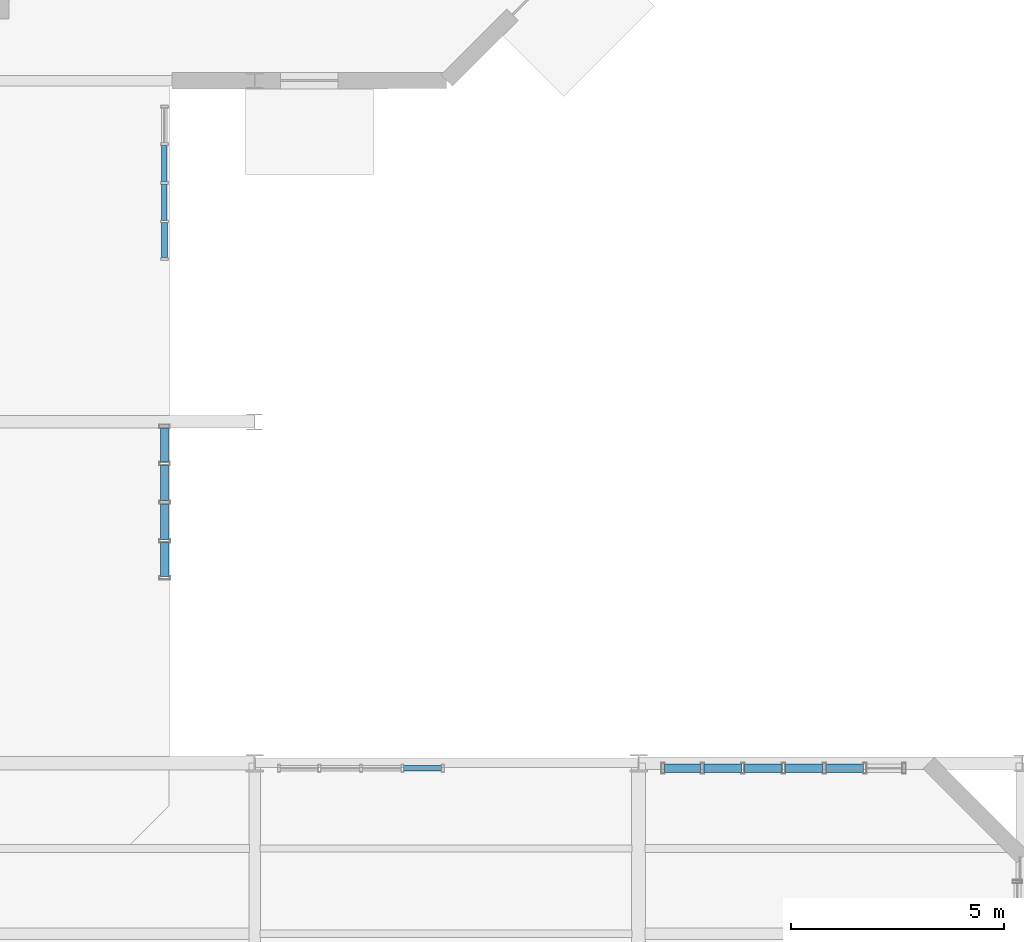
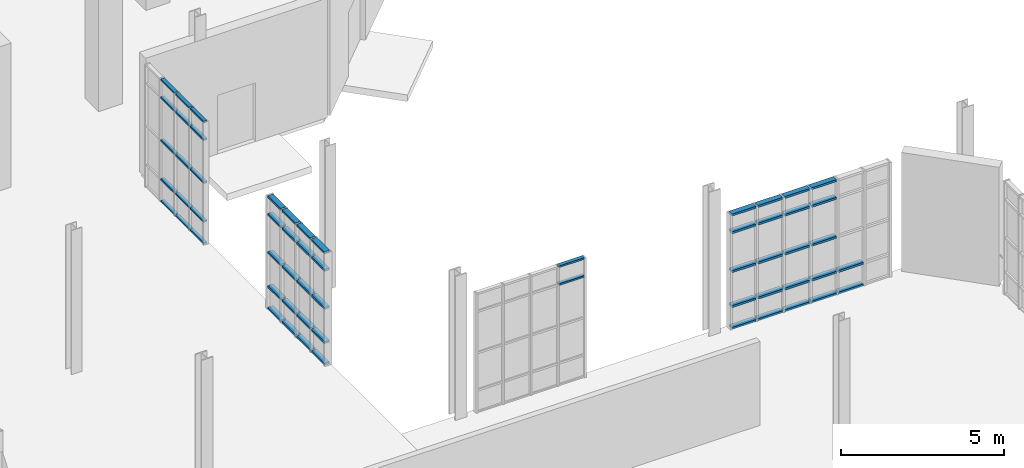
# One storey, part 117 of 189: 59 members, 4 elements without a shape of their own.
"""IFC4 building model written with IfcOpenShell, lengths in metres."""

from ifc_helpers import new_model, si_unit, direction, frame, origin, origin_2d, place, context, subcontext, project, spatial, hollow_rectangle, extrude, material, layer, layer_set, material_profile, profile_set, type_object, element, aggregate, save


model = new_model("IFC4")

# Units and contexts
model_context = context("Model", 3, precision=1e-05, world=origin(), true_north=direction((0.0, 1.0)))
body_context = subcontext(model_context, "Body", "Model", "MODEL_VIEW")
ifc_project = project(units=[si_unit("LENGTHUNIT", "METRE"), si_unit("AREAUNIT", "SQUARE_METRE"), si_unit("VOLUMEUNIT", "CUBIC_METRE"), si_unit("PLANEANGLEUNIT", "RADIAN"), si_unit("MASSUNIT", "GRAM", prefix="KILO"), si_unit("THERMODYNAMICTEMPERATUREUNIT", "KELVIN"), si_unit("POWERUNIT", "WATT")], contexts=[model_context])

# Site, building, storey
site_placement = place(None, origin())
site = spatial("IfcSite", under=ifc_project, at=site_placement, CompositionType="ELEMENT")
building_placement = place(site_placement, origin())
building = spatial("IfcBuilding", under=site, at=building_placement, Name="Zelmaris Science Centre", CompositionType="ELEMENT")
storey_placement = place(building_placement, origin())
storey = spatial("IfcBuildingStorey", under=building, at=storey_placement, Name="L00", CompositionType="ELEMENT", Elevation=0.0)

# Curtain wall, members
ifc_material = material(Name="Anodised architectural aluminium 6063-T6", Category="aluminium")
ifc_layer_1 = layer(ifc_material, 0.2099609375, Name="Anodised architectural aluminium 6063-T6")
ifc_layer_set_1 = layer_set([ifc_layer_1], Name="Anodised architectural aluminium 6063-T6")
curtain_wall_type_1 = type_object("IfcCurtainWallType", Name="Curtain Wall CW-03", PredefinedType="USERDEFINED", material=ifc_layer_set_1)
curtain_wall_1_placement = place(storey_placement, origin())
curtain_wall_1 = element("IfcCurtainWall", 1, at=curtain_wall_1_placement, inside=storey, type_object=curtain_wall_type_1, Name="L00 Unitised curtain wall 39", ObjectType="GLAZED CURTAIN WALL", PredefinedType="USERDEFINED")
ifc_material_profile_1 = material_profile(ifc_material, hollow_rectangle(XDim=0.06494140625, YDim=0.1298828125, WallThickness=0.00341796875, at=origin_2d()), Name="ALU-TRN-65X130")
ifc_profile_set_1 = profile_set([ifc_material_profile_1], Name="Anodised architectural aluminium 6063-T6")
member_type_1 = type_object("IfcMemberType", Name="ALU-TRN-65X130", PredefinedType="USERDEFINED", material=ifc_profile_set_1)
member_1_placement = place(storey_placement, frame((33.883544921875, 54.48291015625, 0.013427734375), z_axis=(0.000862564371, -0.999999627991, 0.0), x_axis=(0.0, 0.0, 1.0)))
member_1 = element("IfcMember", 2, at=member_1_placement, type_object=member_type_1, Name="CW-03 transom 2.1", ObjectType="TRANSOM", PredefinedType="USERDEFINED", context=body_context, shape_type="SweptSolid", body=[
    extrude(hollow_rectangle(XDim=0.06494140625, YDim=0.1298828125, WallThickness=0.00341796875, at=origin_2d()), origin(), (0.0, 0.0, 1.0), 0.84912109375),
])
member_2_placement = place(storey_placement, frame((33.883544921875, 54.48291015625, 0.8349609375), z_axis=(0.000862564371, -0.999999627991, 0.0), x_axis=(0.0, 0.0, 1.0)))
member_2 = element("IfcMember", 3, at=member_2_placement, type_object=member_type_1, Name="CW-03 transom 2.2", ObjectType="TRANSOM", PredefinedType="USERDEFINED", context=body_context, shape_type="SweptSolid", body=[
    extrude(hollow_rectangle(XDim=0.06494140625, YDim=0.1298828125, WallThickness=0.00341796875, at=origin_2d()), origin(), (0.0, 0.0, 1.0), 0.84912109375),
])
member_3_placement = place(storey_placement, frame((33.883544921875, 54.48291015625, 2.29248046875), z_axis=(0.000862564371, -0.999999627991, 0.0), x_axis=(0.0, 0.0, 1.0)))
member_3 = element("IfcMember", 4, at=member_3_placement, type_object=member_type_1, Name="CW-03 transom 2.3", ObjectType="TRANSOM", PredefinedType="USERDEFINED", context=body_context, shape_type="SweptSolid", body=[
    extrude(hollow_rectangle(XDim=0.06494140625, YDim=0.1298828125, WallThickness=0.00341796875, at=origin_2d()), origin(), (0.0, 0.0, 1.0), 0.84912109375),
])
member_4_placement = place(storey_placement, frame((33.883544921875, 54.48291015625, 3.89990234375), z_axis=(0.000862564371, -0.999999627991, 0.0), x_axis=(0.0, 0.0, 1.0)))
member_4 = element("IfcMember", 5, at=member_4_placement, type_object=member_type_1, Name="CW-03 transom 2.4", ObjectType="TRANSOM", PredefinedType="USERDEFINED", context=body_context, shape_type="SweptSolid", body=[
    extrude(hollow_rectangle(XDim=0.06494140625, YDim=0.1298828125, WallThickness=0.00341796875, at=origin_2d()), origin(), (0.0, 0.0, 1.0), 0.84912109375),
])
member_5_placement = place(storey_placement, frame((33.883544921875, 54.48291015625, 4.571533203125), z_axis=(0.000862564371, -0.999999627991, 0.0), x_axis=(0.0, 0.0, 1.0)))
member_5 = element("IfcMember", 6, at=member_5_placement, type_object=member_type_1, Name="CW-03 transom 2.5", ObjectType="TRANSOM", PredefinedType="USERDEFINED", context=body_context, shape_type="SweptSolid", body=[
    extrude(hollow_rectangle(XDim=0.06494140625, YDim=0.1298828125, WallThickness=0.00341796875, at=origin_2d()), origin(), (0.0, 0.0, 1.0), 0.84912109375),
])
member_6_placement = place(storey_placement, frame((33.88427734375, 53.576904296875, 0.013427734375), z_axis=(0.000575043033, -0.999999834663, 0.0), x_axis=(0.0, 0.0, 1.0)))
member_6 = element("IfcMember", 7, at=member_6_placement, type_object=member_type_1, Name="CW-03 transom 3.1", ObjectType="TRANSOM", PredefinedType="USERDEFINED", context=body_context, shape_type="SweptSolid", body=[
    extrude(hollow_rectangle(XDim=0.06494140625, YDim=0.1298828125, WallThickness=0.00341796875, at=origin_2d()), origin(), (0.0, 0.0, 1.0), 0.84912109375),
])
member_7_placement = place(storey_placement, frame((33.88427734375, 53.576904296875, 0.8349609375), z_axis=(0.000575043033, -0.999999834663, 0.0), x_axis=(0.0, 0.0, 1.0)))
member_7 = element("IfcMember", 8, at=member_7_placement, type_object=member_type_1, Name="CW-03 transom 3.2", ObjectType="TRANSOM", PredefinedType="USERDEFINED", context=body_context, shape_type="SweptSolid", body=[
    extrude(hollow_rectangle(XDim=0.06494140625, YDim=0.1298828125, WallThickness=0.00341796875, at=origin_2d()), origin(), (0.0, 0.0, 1.0), 0.84912109375),
])
member_8_placement = place(storey_placement, frame((33.88427734375, 53.576904296875, 2.29248046875), z_axis=(0.000575043033, -0.999999834663, 0.0), x_axis=(0.0, 0.0, 1.0)))
member_8 = element("IfcMember", 9, at=member_8_placement, type_object=member_type_1, Name="CW-03 transom 3.3", ObjectType="TRANSOM", PredefinedType="USERDEFINED", context=body_context, shape_type="SweptSolid", body=[
    extrude(hollow_rectangle(XDim=0.06494140625, YDim=0.1298828125, WallThickness=0.00341796875, at=origin_2d()), origin(), (0.0, 0.0, 1.0), 0.84912109375),
])
member_9_placement = place(storey_placement, frame((33.88427734375, 53.576904296875, 3.89990234375), z_axis=(0.000575043033, -0.999999834663, 0.0), x_axis=(0.0, 0.0, 1.0)))
member_9 = element("IfcMember", 10, at=member_9_placement, type_object=member_type_1, Name="CW-03 transom 3.4", ObjectType="TRANSOM", PredefinedType="USERDEFINED", context=body_context, shape_type="SweptSolid", body=[
    extrude(hollow_rectangle(XDim=0.06494140625, YDim=0.1298828125, WallThickness=0.00341796875, at=origin_2d()), origin(), (0.0, 0.0, 1.0), 0.84912109375),
])
member_10_placement = place(storey_placement, frame((33.88427734375, 53.576904296875, 4.571533203125), z_axis=(0.000575043033, -0.999999834663, 0.0), x_axis=(0.0, 0.0, 1.0)))
member_10 = element("IfcMember", 11, at=member_10_placement, type_object=member_type_1, Name="CW-03 transom 3.5", ObjectType="TRANSOM", PredefinedType="USERDEFINED", context=body_context, shape_type="SweptSolid", body=[
    extrude(hollow_rectangle(XDim=0.06494140625, YDim=0.1298828125, WallThickness=0.00341796875, at=origin_2d()), origin(), (0.0, 0.0, 1.0), 0.84912109375),
])
member_11_placement = place(storey_placement, frame((33.885009765625, 52.6708984375, 0.013427734375), z_axis=(0.000595060888, -0.999999822951, 0.0), x_axis=(0.0, 0.0, 1.0)))
member_11 = element("IfcMember", 12, at=member_11_placement, type_object=member_type_1, Name="CW-03 transom 4.1", ObjectType="TRANSOM", PredefinedType="USERDEFINED", context=body_context, shape_type="SweptSolid", body=[
    extrude(hollow_rectangle(XDim=0.06494140625, YDim=0.1298828125, WallThickness=0.00341796875, at=origin_2d()), origin(), (0.0, 0.0, 1.0), 0.820556640625),
])
member_12_placement = place(storey_placement, frame((33.885009765625, 52.6708984375, 0.8349609375), z_axis=(0.000595060888, -0.999999822951, 0.0), x_axis=(0.0, 0.0, 1.0)))
member_12 = element("IfcMember", 13, at=member_12_placement, type_object=member_type_1, Name="CW-03 transom 4.2", ObjectType="TRANSOM", PredefinedType="USERDEFINED", context=body_context, shape_type="SweptSolid", body=[
    extrude(hollow_rectangle(XDim=0.06494140625, YDim=0.1298828125, WallThickness=0.00341796875, at=origin_2d()), origin(), (0.0, 0.0, 1.0), 0.820556640625),
])
member_13_placement = place(storey_placement, frame((33.885009765625, 52.6708984375, 2.29248046875), z_axis=(0.000595060888, -0.999999822951, 0.0), x_axis=(0.0, 0.0, 1.0)))
member_13 = element("IfcMember", 14, at=member_13_placement, type_object=member_type_1, Name="CW-03 transom 4.3", ObjectType="TRANSOM", PredefinedType="USERDEFINED", context=body_context, shape_type="SweptSolid", body=[
    extrude(hollow_rectangle(XDim=0.06494140625, YDim=0.1298828125, WallThickness=0.00341796875, at=origin_2d()), origin(), (0.0, 0.0, 1.0), 0.820556640625),
])
member_14_placement = place(storey_placement, frame((33.885009765625, 52.6708984375, 3.89990234375), z_axis=(0.000595060888, -0.999999822951, 0.0), x_axis=(0.0, 0.0, 1.0)))
member_14 = element("IfcMember", 15, at=member_14_placement, type_object=member_type_1, Name="CW-03 transom 4.4", ObjectType="TRANSOM", PredefinedType="USERDEFINED", context=body_context, shape_type="SweptSolid", body=[
    extrude(hollow_rectangle(XDim=0.06494140625, YDim=0.1298828125, WallThickness=0.00341796875, at=origin_2d()), origin(), (0.0, 0.0, 1.0), 0.820556640625),
])
member_15_placement = place(storey_placement, frame((33.885009765625, 52.6708984375, 4.571533203125), z_axis=(0.000595060888, -0.999999822951, 0.0), x_axis=(0.0, 0.0, 1.0)))
member_15 = element("IfcMember", 16, at=member_15_placement, type_object=member_type_1, Name="CW-03 transom 4.5", ObjectType="TRANSOM", PredefinedType="USERDEFINED", context=body_context, shape_type="SweptSolid", body=[
    extrude(hollow_rectangle(XDim=0.06494140625, YDim=0.1298828125, WallThickness=0.00341796875, at=origin_2d()), origin(), (0.0, 0.0, 1.0), 0.820556640625),
])
aggregate(curtain_wall_1, [member_1, member_2, member_3, member_4, member_5, member_6, member_7, member_8, member_9, member_10, member_11, member_12, member_13, member_14, member_15])

curtain_wall_2_placement = place(storey_placement, origin())
curtain_wall_2 = element("IfcCurtainWall", 17, at=curtain_wall_2_placement, inside=storey, type_object=curtain_wall_type_1, Name="L00 Unitised curtain wall 43", ObjectType="GLAZED CURTAIN WALL", PredefinedType="USERDEFINED")
member_16_placement = place(storey_placement, frame((39.493408203125, 39.8798828125, 3.785888671875), z_axis=(1.0, 0.0, 0.0), x_axis=(0.0, 0.0, 1.0)))
member_16 = element("IfcMember", 18, at=member_16_placement, type_object=member_type_1, Name="CW-03 transom 4.4", ObjectType="TRANSOM", PredefinedType="USERDEFINED", context=body_context, shape_type="SweptSolid", body=[
    extrude(hollow_rectangle(XDim=0.06494140625, YDim=0.1298828125, WallThickness=0.00341796875, at=origin_2d()), origin(), (0.0, 0.0, 1.0), 0.8896484375),
])
member_17_placement = place(storey_placement, frame((39.493408203125, 39.8798828125, 4.45751953125), z_axis=(1.0, 0.0, 0.0), x_axis=(0.0, 0.0, 1.0)))
member_17 = element("IfcMember", 19, at=member_17_placement, type_object=member_type_1, Name="CW-03 transom 4.5", ObjectType="TRANSOM", PredefinedType="USERDEFINED", context=body_context, shape_type="SweptSolid", body=[
    extrude(hollow_rectangle(XDim=0.06494140625, YDim=0.1298828125, WallThickness=0.00341796875, at=origin_2d()), origin(), (0.0, 0.0, 1.0), 0.8896484375),
])
aggregate(curtain_wall_2, [member_16, member_17])

ifc_layer_2 = layer(ifc_material, 0.18994140625, Name="Anodised architectural aluminium 6063-T6")
ifc_layer_set_2 = layer_set([ifc_layer_2], Name="Anodised architectural aluminium 6063-T6")
curtain_wall_type_2 = type_object("IfcCurtainWallType", Name="Curtain Wall CW-01", PredefinedType="USERDEFINED", material=ifc_layer_set_2)
curtain_wall_3_placement = place(storey_placement, origin())
curtain_wall_3 = element("IfcCurtainWall", 20, at=curtain_wall_3_placement, inside=storey, type_object=curtain_wall_type_2, Name="L00 Unitised curtain wall 41", ObjectType="GLAZED CURTAIN WALL", PredefinedType="USERDEFINED")
ifc_material_profile_2 = material_profile(ifc_material, hollow_rectangle(XDim=0.080078125, YDim=0.18994140625, WallThickness=0.00439453125, at=origin_2d()), Name="ALU-TRN-80X190")
ifc_profile_set_2 = profile_set([ifc_material_profile_2], Name="Anodised architectural aluminium 6063-T6")
member_type_2 = type_object("IfcMemberType", Name="ALU-TRN-80X190", PredefinedType="USERDEFINED", material=ifc_profile_set_2)
member_18_placement = place(storey_placement, frame((33.88818359375, 47.857666015625, 0.02099609375), z_axis=(0.000611807778, -0.999999812846, 0.0), x_axis=(0.0, 0.0, 1.0)))
member_18 = element("IfcMember", 21, at=member_18_placement, type_object=member_type_2, Name="CW-01 transom 1.1", ObjectType="TRANSOM", PredefinedType="USERDEFINED", context=body_context, shape_type="SweptSolid", body=[
    extrude(hollow_rectangle(XDim=0.080078125, YDim=0.18994140625, WallThickness=0.00439453125, at=origin_2d()), origin(), (0.0, 0.0, 1.0), 0.798095703125),
])
member_19_placement = place(storey_placement, frame((33.88818359375, 47.857666015625, 0.8349609375), z_axis=(0.000611807778, -0.999999812846, 0.0), x_axis=(0.0, 0.0, 1.0)))
member_19 = element("IfcMember", 22, at=member_19_placement, type_object=member_type_2, Name="CW-01 transom 1.2", ObjectType="TRANSOM", PredefinedType="USERDEFINED", context=body_context, shape_type="SweptSolid", body=[
    extrude(hollow_rectangle(XDim=0.080078125, YDim=0.18994140625, WallThickness=0.00439453125, at=origin_2d()), origin(), (0.0, 0.0, 1.0), 0.798095703125),
])
member_20_placement = place(storey_placement, frame((33.88818359375, 47.857666015625, 2.114501953125), z_axis=(0.000611807778, -0.999999812846, 0.0), x_axis=(0.0, 0.0, 1.0)))
member_20 = element("IfcMember", 23, at=member_20_placement, type_object=member_type_2, Name="CW-01 transom 1.3", ObjectType="TRANSOM", PredefinedType="USERDEFINED", context=body_context, shape_type="SweptSolid", body=[
    extrude(hollow_rectangle(XDim=0.080078125, YDim=0.18994140625, WallThickness=0.00439453125, at=origin_2d()), origin(), (0.0, 0.0, 1.0), 0.798095703125),
])
member_21_placement = place(storey_placement, frame((33.88818359375, 47.857666015625, 3.5439453125), z_axis=(0.000611807778, -0.999999812846, 0.0), x_axis=(0.0, 0.0, 1.0)))
member_21 = element("IfcMember", 24, at=member_21_placement, type_object=member_type_2, Name="CW-01 transom 1.4", ObjectType="TRANSOM", PredefinedType="USERDEFINED", context=body_context, shape_type="SweptSolid", body=[
    extrude(hollow_rectangle(XDim=0.080078125, YDim=0.18994140625, WallThickness=0.00439453125, at=origin_2d()), origin(), (0.0, 0.0, 1.0), 0.798095703125),
])
member_22_placement = place(storey_placement, frame((33.88818359375, 47.857666015625, 4.2080078125), z_axis=(0.000611807778, -0.999999812846, 0.0), x_axis=(0.0, 0.0, 1.0)))
member_22 = element("IfcMember", 25, at=member_22_placement, type_object=member_type_2, Name="CW-01 transom 1.5", ObjectType="TRANSOM", PredefinedType="USERDEFINED", context=body_context, shape_type="SweptSolid", body=[
    extrude(hollow_rectangle(XDim=0.080078125, YDim=0.18994140625, WallThickness=0.00439453125, at=origin_2d()), origin(), (0.0, 0.0, 1.0), 0.798095703125),
])
member_23_placement = place(storey_placement, frame((33.888671875, 46.987548828125, 0.02099609375), z_axis=(0.000878219802, -0.999999614365, 0.0), x_axis=(0.0, 0.0, 1.0)))
member_23 = element("IfcMember", 26, at=member_23_placement, type_object=member_type_2, Name="CW-01 transom 2.1", ObjectType="TRANSOM", PredefinedType="USERDEFINED", context=body_context, shape_type="SweptSolid", body=[
    extrude(hollow_rectangle(XDim=0.080078125, YDim=0.18994140625, WallThickness=0.00439453125, at=origin_2d()), origin(), (0.0, 0.0, 1.0), 0.833984375),
])
member_24_placement = place(storey_placement, frame((33.888671875, 46.987548828125, 0.8349609375), z_axis=(0.000878219802, -0.999999614365, 0.0), x_axis=(0.0, 0.0, 1.0)))
member_24 = element("IfcMember", 27, at=member_24_placement, type_object=member_type_2, Name="CW-01 transom 2.2", ObjectType="TRANSOM", PredefinedType="USERDEFINED", context=body_context, shape_type="SweptSolid", body=[
    extrude(hollow_rectangle(XDim=0.080078125, YDim=0.18994140625, WallThickness=0.00439453125, at=origin_2d()), origin(), (0.0, 0.0, 1.0), 0.833984375),
])
member_25_placement = place(storey_placement, frame((33.888671875, 46.987548828125, 2.114501953125), z_axis=(0.000878219802, -0.999999614365, 0.0), x_axis=(0.0, 0.0, 1.0)))
member_25 = element("IfcMember", 28, at=member_25_placement, type_object=member_type_2, Name="CW-01 transom 2.3", ObjectType="TRANSOM", PredefinedType="USERDEFINED", context=body_context, shape_type="SweptSolid", body=[
    extrude(hollow_rectangle(XDim=0.080078125, YDim=0.18994140625, WallThickness=0.00439453125, at=origin_2d()), origin(), (0.0, 0.0, 1.0), 0.833984375),
])
member_26_placement = place(storey_placement, frame((33.888671875, 46.987548828125, 3.5439453125), z_axis=(0.000878219802, -0.999999614365, 0.0), x_axis=(0.0, 0.0, 1.0)))
member_26 = element("IfcMember", 29, at=member_26_placement, type_object=member_type_2, Name="CW-01 transom 2.4", ObjectType="TRANSOM", PredefinedType="USERDEFINED", context=body_context, shape_type="SweptSolid", body=[
    extrude(hollow_rectangle(XDim=0.080078125, YDim=0.18994140625, WallThickness=0.00439453125, at=origin_2d()), origin(), (0.0, 0.0, 1.0), 0.833984375),
])
member_27_placement = place(storey_placement, frame((33.888671875, 46.987548828125, 4.2080078125), z_axis=(0.000878219802, -0.999999614365, 0.0), x_axis=(0.0, 0.0, 1.0)))
member_27 = element("IfcMember", 30, at=member_27_placement, type_object=member_type_2, Name="CW-01 transom 2.5", ObjectType="TRANSOM", PredefinedType="USERDEFINED", context=body_context, shape_type="SweptSolid", body=[
    extrude(hollow_rectangle(XDim=0.080078125, YDim=0.18994140625, WallThickness=0.00439453125, at=origin_2d()), origin(), (0.0, 0.0, 1.0), 0.833984375),
])
member_28_placement = place(storey_placement, frame((33.889404296875, 46.08154296875, 0.02099609375), z_axis=(0.000878219802, -0.999999614365, 0.0), x_axis=(0.0, 0.0, 1.0)))
member_28 = element("IfcMember", 31, at=member_28_placement, type_object=member_type_2, Name="CW-01 transom 3.1", ObjectType="TRANSOM", PredefinedType="USERDEFINED", context=body_context, shape_type="SweptSolid", body=[
    extrude(hollow_rectangle(XDim=0.080078125, YDim=0.18994140625, WallThickness=0.00439453125, at=origin_2d()), origin(), (0.0, 0.0, 1.0), 0.833984375),
])
member_29_placement = place(storey_placement, frame((33.889404296875, 46.08154296875, 0.8349609375), z_axis=(0.000878219802, -0.999999614365, 0.0), x_axis=(0.0, 0.0, 1.0)))
member_29 = element("IfcMember", 32, at=member_29_placement, type_object=member_type_2, Name="CW-01 transom 3.2", ObjectType="TRANSOM", PredefinedType="USERDEFINED", context=body_context, shape_type="SweptSolid", body=[
    extrude(hollow_rectangle(XDim=0.080078125, YDim=0.18994140625, WallThickness=0.00439453125, at=origin_2d()), origin(), (0.0, 0.0, 1.0), 0.833984375),
])
member_30_placement = place(storey_placement, frame((33.889404296875, 46.08154296875, 2.114501953125), z_axis=(0.000878219802, -0.999999614365, 0.0), x_axis=(0.0, 0.0, 1.0)))
member_30 = element("IfcMember", 33, at=member_30_placement, type_object=member_type_2, Name="CW-01 transom 3.3", ObjectType="TRANSOM", PredefinedType="USERDEFINED", context=body_context, shape_type="SweptSolid", body=[
    extrude(hollow_rectangle(XDim=0.080078125, YDim=0.18994140625, WallThickness=0.00439453125, at=origin_2d()), origin(), (0.0, 0.0, 1.0), 0.833984375),
])
member_31_placement = place(storey_placement, frame((33.889404296875, 46.08154296875, 3.5439453125), z_axis=(0.000878219802, -0.999999614365, 0.0), x_axis=(0.0, 0.0, 1.0)))
member_31 = element("IfcMember", 34, at=member_31_placement, type_object=member_type_2, Name="CW-01 transom 3.4", ObjectType="TRANSOM", PredefinedType="USERDEFINED", context=body_context, shape_type="SweptSolid", body=[
    extrude(hollow_rectangle(XDim=0.080078125, YDim=0.18994140625, WallThickness=0.00439453125, at=origin_2d()), origin(), (0.0, 0.0, 1.0), 0.833984375),
])
member_32_placement = place(storey_placement, frame((33.889404296875, 46.08154296875, 4.2080078125), z_axis=(0.000878219802, -0.999999614365, 0.0), x_axis=(0.0, 0.0, 1.0)))
member_32 = element("IfcMember", 35, at=member_32_placement, type_object=member_type_2, Name="CW-01 transom 3.5", ObjectType="TRANSOM", PredefinedType="USERDEFINED", context=body_context, shape_type="SweptSolid", body=[
    extrude(hollow_rectangle(XDim=0.080078125, YDim=0.18994140625, WallThickness=0.00439453125, at=origin_2d()), origin(), (0.0, 0.0, 1.0), 0.833984375),
])
member_33_placement = place(storey_placement, frame((33.89013671875, 45.17578125, 0.02099609375), z_axis=(0.000611807778, -0.999999812846, 0.0), x_axis=(0.0, 0.0, 1.0)))
member_33 = element("IfcMember", 36, at=member_33_placement, type_object=member_type_2, Name="CW-01 transom 4.1", ObjectType="TRANSOM", PredefinedType="USERDEFINED", context=body_context, shape_type="SweptSolid", body=[
    extrude(hollow_rectangle(XDim=0.080078125, YDim=0.18994140625, WallThickness=0.00439453125, at=origin_2d()), origin(), (0.0, 0.0, 1.0), 0.798095703125),
])
member_34_placement = place(storey_placement, frame((33.89013671875, 45.17578125, 0.8349609375), z_axis=(0.000611807778, -0.999999812846, 0.0), x_axis=(0.0, 0.0, 1.0)))
member_34 = element("IfcMember", 37, at=member_34_placement, type_object=member_type_2, Name="CW-01 transom 4.2", ObjectType="TRANSOM", PredefinedType="USERDEFINED", context=body_context, shape_type="SweptSolid", body=[
    extrude(hollow_rectangle(XDim=0.080078125, YDim=0.18994140625, WallThickness=0.00439453125, at=origin_2d()), origin(), (0.0, 0.0, 1.0), 0.798095703125),
])
member_35_placement = place(storey_placement, frame((33.89013671875, 45.17578125, 2.114501953125), z_axis=(0.000611807778, -0.999999812846, 0.0), x_axis=(0.0, 0.0, 1.0)))
member_35 = element("IfcMember", 38, at=member_35_placement, type_object=member_type_2, Name="CW-01 transom 4.3", ObjectType="TRANSOM", PredefinedType="USERDEFINED", context=body_context, shape_type="SweptSolid", body=[
    extrude(hollow_rectangle(XDim=0.080078125, YDim=0.18994140625, WallThickness=0.00439453125, at=origin_2d()), origin(), (0.0, 0.0, 1.0), 0.798095703125),
])
member_36_placement = place(storey_placement, frame((33.89013671875, 45.17578125, 3.5439453125), z_axis=(0.000611807778, -0.999999812846, 0.0), x_axis=(0.0, 0.0, 1.0)))
member_36 = element("IfcMember", 39, at=member_36_placement, type_object=member_type_2, Name="CW-01 transom 4.4", ObjectType="TRANSOM", PredefinedType="USERDEFINED", context=body_context, shape_type="SweptSolid", body=[
    extrude(hollow_rectangle(XDim=0.080078125, YDim=0.18994140625, WallThickness=0.00439453125, at=origin_2d()), origin(), (0.0, 0.0, 1.0), 0.798095703125),
])
member_37_placement = place(storey_placement, frame((33.89013671875, 45.17578125, 4.2080078125), z_axis=(0.000611807778, -0.999999812846, 0.0), x_axis=(0.0, 0.0, 1.0)))
member_37 = element("IfcMember", 40, at=member_37_placement, type_object=member_type_2, Name="CW-01 transom 4.5", ObjectType="TRANSOM", PredefinedType="USERDEFINED", context=body_context, shape_type="SweptSolid", body=[
    extrude(hollow_rectangle(XDim=0.080078125, YDim=0.18994140625, WallThickness=0.00439453125, at=origin_2d()), origin(), (0.0, 0.0, 1.0), 0.798095703125),
])
aggregate(curtain_wall_3, [member_18, member_19, member_20, member_21, member_22, member_23, member_24, member_25, member_26, member_27, member_28, member_29, member_30, member_31, member_32, member_33, member_34, member_35, member_36, member_37])

curtain_wall_4_placement = place(storey_placement, origin())
curtain_wall_4 = element("IfcCurtainWall", 41, at=curtain_wall_4_placement, inside=storey, type_object=curtain_wall_type_2, Name="L00 Unitised curtain wall 45", ObjectType="GLAZED CURTAIN WALL", PredefinedType="USERDEFINED")
member_38_placement = place(storey_placement, frame((45.612060546875, 39.8798828125, 0.02099609375), z_axis=(1.0, 0.0, 0.0), x_axis=(0.0, 0.0, 1.0)))
member_38 = element("IfcMember", 42, at=member_38_placement, type_object=member_type_2, Name="CW-01 transom 1.1", ObjectType="TRANSOM", PredefinedType="USERDEFINED", context=body_context, shape_type="SweptSolid", body=[
    extrude(hollow_rectangle(XDim=0.080078125, YDim=0.18994140625, WallThickness=0.00439453125, at=origin_2d()), origin(), (0.0, 0.0, 1.0), 0.84521484375),
])
member_39_placement = place(storey_placement, frame((45.612060546875, 39.8798828125, 0.8349609375), z_axis=(1.0, 0.0, 0.0), x_axis=(0.0, 0.0, 1.0)))
member_39 = element("IfcMember", 43, at=member_39_placement, type_object=member_type_2, Name="CW-01 transom 1.2", ObjectType="TRANSOM", PredefinedType="USERDEFINED", context=body_context, shape_type="SweptSolid", body=[
    extrude(hollow_rectangle(XDim=0.080078125, YDim=0.18994140625, WallThickness=0.00439453125, at=origin_2d()), origin(), (0.0, 0.0, 1.0), 0.84521484375),
])
member_40_placement = place(storey_placement, frame((45.612060546875, 39.8798828125, 2.146484375), z_axis=(1.0, 0.0, 0.0), x_axis=(0.0, 0.0, 1.0)))
member_40 = element("IfcMember", 44, at=member_40_placement, type_object=member_type_2, Name="CW-01 transom 1.3", ObjectType="TRANSOM", PredefinedType="USERDEFINED", context=body_context, shape_type="SweptSolid", body=[
    extrude(hollow_rectangle(XDim=0.080078125, YDim=0.18994140625, WallThickness=0.00439453125, at=origin_2d()), origin(), (0.0, 0.0, 1.0), 0.84521484375),
])
member_41_placement = place(storey_placement, frame((45.612060546875, 39.8798828125, 3.60791015625), z_axis=(1.0, 0.0, 0.0), x_axis=(0.0, 0.0, 1.0)))
member_41 = element("IfcMember", 45, at=member_41_placement, type_object=member_type_2, Name="CW-01 transom 1.4", ObjectType="TRANSOM", PredefinedType="USERDEFINED", context=body_context, shape_type="SweptSolid", body=[
    extrude(hollow_rectangle(XDim=0.080078125, YDim=0.18994140625, WallThickness=0.00439453125, at=origin_2d()), origin(), (0.0, 0.0, 1.0), 0.84521484375),
])
member_42_placement = place(storey_placement, frame((45.612060546875, 39.8798828125, 4.27197265625), z_axis=(1.0, 0.0, 0.0), x_axis=(0.0, 0.0, 1.0)))
member_42 = element("IfcMember", 46, at=member_42_placement, type_object=member_type_2, Name="CW-01 transom 1.5", ObjectType="TRANSOM", PredefinedType="USERDEFINED", context=body_context, shape_type="SweptSolid", body=[
    extrude(hollow_rectangle(XDim=0.080078125, YDim=0.18994140625, WallThickness=0.00439453125, at=origin_2d()), origin(), (0.0, 0.0, 1.0), 0.84521484375),
])
member_43_placement = place(storey_placement, frame((46.529296875, 39.8798828125, 0.02099609375), z_axis=(1.0, 0.0, 0.0), x_axis=(0.0, 0.0, 1.0)))
member_43 = element("IfcMember", 47, at=member_43_placement, type_object=member_type_2, Name="CW-01 transom 2.1", ObjectType="TRANSOM", PredefinedType="USERDEFINED", context=body_context, shape_type="SweptSolid", body=[
    extrude(hollow_rectangle(XDim=0.080078125, YDim=0.18994140625, WallThickness=0.00439453125, at=origin_2d()), origin(), (0.0, 0.0, 1.0), 0.88134765625),
])
member_44_placement = place(storey_placement, frame((46.529296875, 39.8798828125, 0.8349609375), z_axis=(1.0, 0.0, 0.0), x_axis=(0.0, 0.0, 1.0)))
member_44 = element("IfcMember", 48, at=member_44_placement, type_object=member_type_2, Name="CW-01 transom 2.2", ObjectType="TRANSOM", PredefinedType="USERDEFINED", context=body_context, shape_type="SweptSolid", body=[
    extrude(hollow_rectangle(XDim=0.080078125, YDim=0.18994140625, WallThickness=0.00439453125, at=origin_2d()), origin(), (0.0, 0.0, 1.0), 0.88134765625),
])
member_45_placement = place(storey_placement, frame((46.529296875, 39.8798828125, 2.146484375), z_axis=(1.0, 0.0, 0.0), x_axis=(0.0, 0.0, 1.0)))
member_45 = element("IfcMember", 49, at=member_45_placement, type_object=member_type_2, Name="CW-01 transom 2.3", ObjectType="TRANSOM", PredefinedType="USERDEFINED", context=body_context, shape_type="SweptSolid", body=[
    extrude(hollow_rectangle(XDim=0.080078125, YDim=0.18994140625, WallThickness=0.00439453125, at=origin_2d()), origin(), (0.0, 0.0, 1.0), 0.88134765625),
])
member_46_placement = place(storey_placement, frame((46.529296875, 39.8798828125, 3.60791015625), z_axis=(1.0, 0.0, 0.0), x_axis=(0.0, 0.0, 1.0)))
member_46 = element("IfcMember", 50, at=member_46_placement, type_object=member_type_2, Name="CW-01 transom 2.4", ObjectType="TRANSOM", PredefinedType="USERDEFINED", context=body_context, shape_type="SweptSolid", body=[
    extrude(hollow_rectangle(XDim=0.080078125, YDim=0.18994140625, WallThickness=0.00439453125, at=origin_2d()), origin(), (0.0, 0.0, 1.0), 0.88134765625),
])
member_47_placement = place(storey_placement, frame((46.529296875, 39.8798828125, 4.27197265625), z_axis=(1.0, 0.0, 0.0), x_axis=(0.0, 0.0, 1.0)))
member_47 = element("IfcMember", 51, at=member_47_placement, type_object=member_type_2, Name="CW-01 transom 2.5", ObjectType="TRANSOM", PredefinedType="USERDEFINED", context=body_context, shape_type="SweptSolid", body=[
    extrude(hollow_rectangle(XDim=0.080078125, YDim=0.18994140625, WallThickness=0.00439453125, at=origin_2d()), origin(), (0.0, 0.0, 1.0), 0.88134765625),
])
member_48_placement = place(storey_placement, frame((47.482666015625, 39.8798828125, 0.02099609375), z_axis=(1.0, 0.0, 0.0), x_axis=(0.0, 0.0, 1.0)))
member_48 = element("IfcMember", 52, at=member_48_placement, type_object=member_type_2, Name="CW-01 transom 3.1", ObjectType="TRANSOM", PredefinedType="USERDEFINED", context=body_context, shape_type="SweptSolid", body=[
    extrude(hollow_rectangle(XDim=0.080078125, YDim=0.18994140625, WallThickness=0.00439453125, at=origin_2d()), origin(), (0.0, 0.0, 1.0), 0.88134765625),
])
member_49_placement = place(storey_placement, frame((47.482666015625, 39.8798828125, 0.8349609375), z_axis=(1.0, 0.0, 0.0), x_axis=(0.0, 0.0, 1.0)))
member_49 = element("IfcMember", 53, at=member_49_placement, type_object=member_type_2, Name="CW-01 transom 3.2", ObjectType="TRANSOM", PredefinedType="USERDEFINED", context=body_context, shape_type="SweptSolid", body=[
    extrude(hollow_rectangle(XDim=0.080078125, YDim=0.18994140625, WallThickness=0.00439453125, at=origin_2d()), origin(), (0.0, 0.0, 1.0), 0.88134765625),
])
member_50_placement = place(storey_placement, frame((47.482666015625, 39.8798828125, 2.146484375), z_axis=(1.0, 0.0, 0.0), x_axis=(0.0, 0.0, 1.0)))
member_50 = element("IfcMember", 54, at=member_50_placement, type_object=member_type_2, Name="CW-01 transom 3.3", ObjectType="TRANSOM", PredefinedType="USERDEFINED", context=body_context, shape_type="SweptSolid", body=[
    extrude(hollow_rectangle(XDim=0.080078125, YDim=0.18994140625, WallThickness=0.00439453125, at=origin_2d()), origin(), (0.0, 0.0, 1.0), 0.88134765625),
])
member_51_placement = place(storey_placement, frame((47.482666015625, 39.8798828125, 3.60791015625), z_axis=(1.0, 0.0, 0.0), x_axis=(0.0, 0.0, 1.0)))
member_51 = element("IfcMember", 55, at=member_51_placement, type_object=member_type_2, Name="CW-01 transom 3.4", ObjectType="TRANSOM", PredefinedType="USERDEFINED", context=body_context, shape_type="SweptSolid", body=[
    extrude(hollow_rectangle(XDim=0.080078125, YDim=0.18994140625, WallThickness=0.00439453125, at=origin_2d()), origin(), (0.0, 0.0, 1.0), 0.88134765625),
])
member_52_placement = place(storey_placement, frame((47.482666015625, 39.8798828125, 4.27197265625), z_axis=(1.0, 0.0, 0.0), x_axis=(0.0, 0.0, 1.0)))
member_52 = element("IfcMember", 56, at=member_52_placement, type_object=member_type_2, Name="CW-01 transom 3.5", ObjectType="TRANSOM", PredefinedType="USERDEFINED", context=body_context, shape_type="SweptSolid", body=[
    extrude(hollow_rectangle(XDim=0.080078125, YDim=0.18994140625, WallThickness=0.00439453125, at=origin_2d()), origin(), (0.0, 0.0, 1.0), 0.88134765625),
])
member_53_placement = place(storey_placement, frame((48.43603515625, 39.8798828125, 0.02099609375), z_axis=(1.0, 0.0, 0.0), x_axis=(0.0, 0.0, 1.0)))
member_53 = element("IfcMember", 57, at=member_53_placement, type_object=member_type_2, Name="CW-01 transom 4.1", ObjectType="TRANSOM", PredefinedType="USERDEFINED", context=body_context, shape_type="SweptSolid", body=[
    extrude(hollow_rectangle(XDim=0.080078125, YDim=0.18994140625, WallThickness=0.00439453125, at=origin_2d()), origin(), (0.0, 0.0, 1.0), 0.88134765625),
])
member_54_placement = place(storey_placement, frame((48.43603515625, 39.8798828125, 0.8349609375), z_axis=(1.0, 0.0, 0.0), x_axis=(0.0, 0.0, 1.0)))
member_54 = element("IfcMember", 58, at=member_54_placement, type_object=member_type_2, Name="CW-01 transom 4.2", ObjectType="TRANSOM", PredefinedType="USERDEFINED", context=body_context, shape_type="SweptSolid", body=[
    extrude(hollow_rectangle(XDim=0.080078125, YDim=0.18994140625, WallThickness=0.00439453125, at=origin_2d()), origin(), (0.0, 0.0, 1.0), 0.88134765625),
])
member_55_placement = place(storey_placement, frame((48.43603515625, 39.8798828125, 2.146484375), z_axis=(1.0, 0.0, 0.0), x_axis=(0.0, 0.0, 1.0)))
member_55 = element("IfcMember", 59, at=member_55_placement, type_object=member_type_2, Name="CW-01 transom 4.3", ObjectType="TRANSOM", PredefinedType="USERDEFINED", context=body_context, shape_type="SweptSolid", body=[
    extrude(hollow_rectangle(XDim=0.080078125, YDim=0.18994140625, WallThickness=0.00439453125, at=origin_2d()), origin(), (0.0, 0.0, 1.0), 0.88134765625),
])
member_56_placement = place(storey_placement, frame((48.43603515625, 39.8798828125, 3.60791015625), z_axis=(1.0, 0.0, 0.0), x_axis=(0.0, 0.0, 1.0)))
member_56 = element("IfcMember", 60, at=member_56_placement, type_object=member_type_2, Name="CW-01 transom 4.4", ObjectType="TRANSOM", PredefinedType="USERDEFINED", context=body_context, shape_type="SweptSolid", body=[
    extrude(hollow_rectangle(XDim=0.080078125, YDim=0.18994140625, WallThickness=0.00439453125, at=origin_2d()), origin(), (0.0, 0.0, 1.0), 0.88134765625),
])
member_57_placement = place(storey_placement, frame((48.43603515625, 39.8798828125, 4.27197265625), z_axis=(1.0, 0.0, 0.0), x_axis=(0.0, 0.0, 1.0)))
member_57 = element("IfcMember", 61, at=member_57_placement, type_object=member_type_2, Name="CW-01 transom 4.5", ObjectType="TRANSOM", PredefinedType="USERDEFINED", context=body_context, shape_type="SweptSolid", body=[
    extrude(hollow_rectangle(XDim=0.080078125, YDim=0.18994140625, WallThickness=0.00439453125, at=origin_2d()), origin(), (0.0, 0.0, 1.0), 0.88134765625),
])
member_58_placement = place(storey_placement, frame((49.389404296875, 39.8798828125, 0.02099609375), z_axis=(1.0, 0.0, 0.0), x_axis=(0.0, 0.0, 1.0)))
member_58 = element("IfcMember", 62, at=member_58_placement, type_object=member_type_2, Name="CW-01 transom 5.1", ObjectType="TRANSOM", PredefinedType="USERDEFINED", context=body_context, shape_type="SweptSolid", body=[
    extrude(hollow_rectangle(XDim=0.080078125, YDim=0.18994140625, WallThickness=0.00439453125, at=origin_2d()), origin(), (0.0, 0.0, 1.0), 0.88134765625),
])
member_59_placement = place(storey_placement, frame((49.389404296875, 39.8798828125, 0.8349609375), z_axis=(1.0, 0.0, 0.0), x_axis=(0.0, 0.0, 1.0)))
member_59 = element("IfcMember", 63, at=member_59_placement, type_object=member_type_2, Name="CW-01 transom 5.2", ObjectType="TRANSOM", PredefinedType="USERDEFINED", context=body_context, shape_type="SweptSolid", body=[
    extrude(hollow_rectangle(XDim=0.080078125, YDim=0.18994140625, WallThickness=0.00439453125, at=origin_2d()), origin(), (0.0, 0.0, 1.0), 0.88134765625),
])
aggregate(curtain_wall_4, [member_38, member_39, member_40, member_41, member_42, member_43, member_44, member_45, member_46, member_47, member_48, member_49, member_50, member_51, member_52, member_53, member_54, member_55, member_56, member_57, member_58, member_59])

save(model, "model.ifc")
